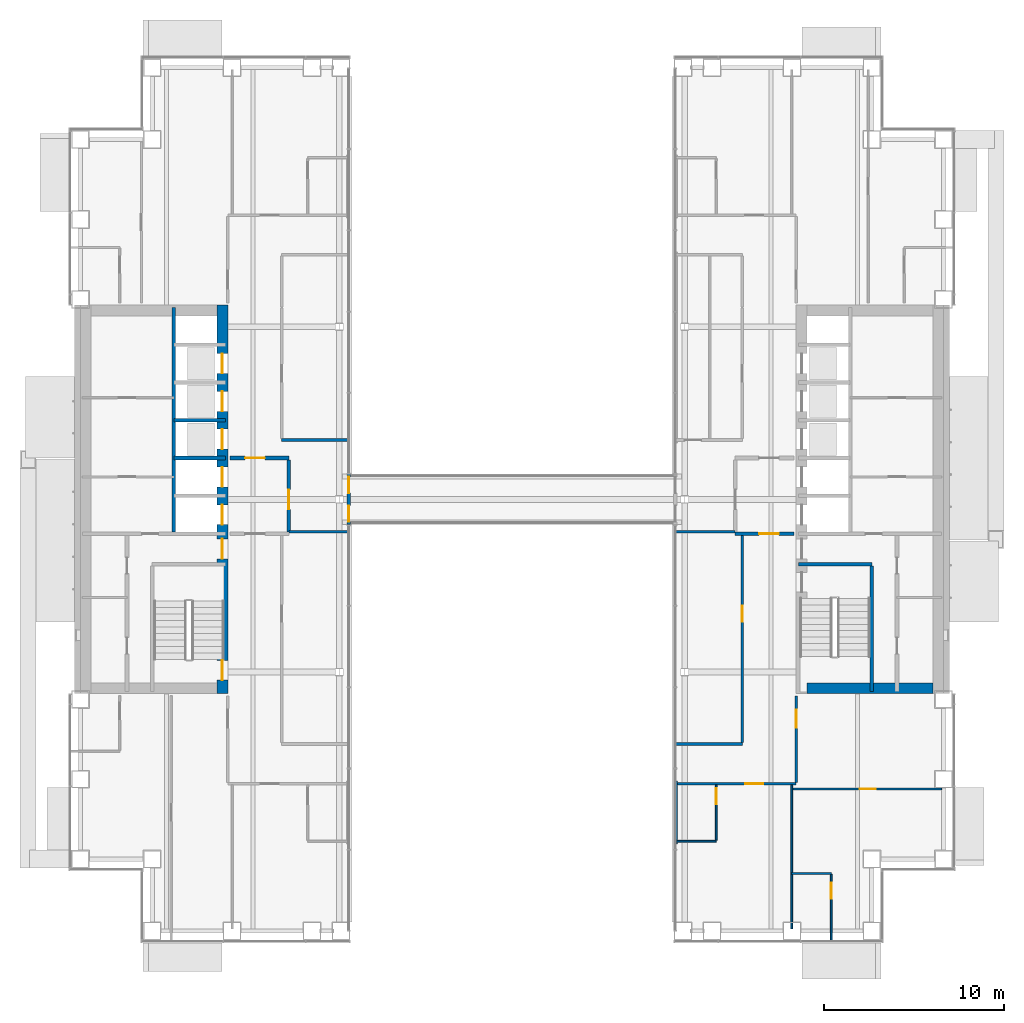
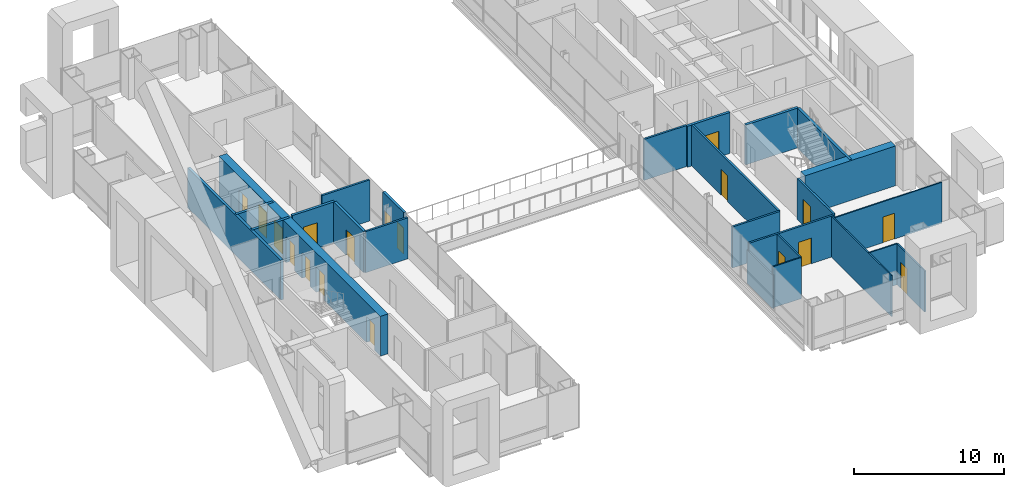
# One storey, part 18 of 26: 25 walls, 18 doors, 18 openings.
"""IFC4 building model written with IfcOpenShell, lengths in metres."""

from ifc_helpers import new_model, si_unit, direction, frame, frame_2d, origin, place, context, subcontext, project, spatial, rectangle, extrude, material, layer, layer_set, type_object, element, fill, save


model = new_model("IFC4")

# Units and contexts
model_context = context("Model", 3, precision=1e-05, world=origin(), true_north=direction((0.0, 1.0)))
body_context = subcontext(model_context, "Body", "Model", "MODEL_VIEW")
ifc_project = project(units=[si_unit("LENGTHUNIT", "METRE"), si_unit("AREAUNIT", "SQUARE_METRE"), si_unit("VOLUMEUNIT", "CUBIC_METRE"), si_unit("PLANEANGLEUNIT", "RADIAN"), si_unit("MASSUNIT", "GRAM", prefix="KILO")], contexts=[model_context])

# Site, building, storey
site_placement = place(None, origin())
site = spatial("IfcSite", under=ifc_project, at=site_placement, CompositionType="ELEMENT")
building_placement = place(site_placement, origin())
building = spatial("IfcBuilding", under=site, at=building_placement, Name="Cobrizo Arcos Hotel Tower", CompositionType="ELEMENT")
storey_placement = place(building_placement, frame((0.0, 0.0, 67.0)))
storey = spatial("IfcBuildingStorey", under=building, at=storey_placement, Name="L15", CompositionType="ELEMENT", Elevation=67.0)

# Wall, opening, door
ifc_material_1 = material(Name="Gypsum board partition")
ifc_layer_1 = layer(ifc_material_1, 0.14990234375)
ifc_layer_set_1 = layer_set([ifc_layer_1], Name="Corridor wall EI 60 150")
wall_type_1 = type_object("IfcWallType", Name="Corridor wall EI 60 150", PredefinedType="PARTITIONING", material=ifc_layer_set_1)
wall_1_placement = place(storey_placement, frame((9.14990234375, -15.800048828125, 0.0), z_axis=(0.0, 0.0, 1.0), x_axis=(1.0, 0.0, 0.0)))
wall_1 = element("IfcWall", 1, at=wall_1_placement, inside=storey, type_object=wall_type_1, Name="Partition 006", PredefinedType="PARTITIONING", context=body_context, shape_type="SweptSolid", body=[
    extrude(rectangle(XDim=6.650146484375, YDim=0.14990234375, at=frame_2d((3.3251953125, 0.0))), origin(), (0.0, 0.0, 1.0), 3.35009765625),
])
opening_1_placement = place(wall_1_placement, frame((3.802978515625, 0.0, 0.0)))
opening_1 = element("IfcOpeningElement", 2, at=opening_1_placement, cuts=wall_1, Name="Opening GD-03", PredefinedType="OPENING", context=body_context, shape_type="SweptSolid", body=[
    extrude(rectangle(XDim=1.0, YDim=2.10009765625, at=frame_2d((0.5, 1.050048828125))), frame((0.0, 0.0869140625, 0.0), z_axis=(0.0, -1.0, 0.0), x_axis=(1.0, 0.0, 0.0)), (0.0, 0.0, 1.0), 0.173828125),
])
ifc_material_2 = material(Name="Timber door leaf", Category="wood")
door_type_1 = type_object("IfcDoorType", Name="Guest room door FD30S 1000x2100", OperationType="SINGLE_SWING_LEFT", PredefinedType="DOOR", material=ifc_material_2)
door_1_placement = place(opening_1_placement, origin())
door_1 = element("IfcDoor", 3, at=door_1_placement, inside=storey, type_object=door_type_1, Name="Door GD-03", OperationType="SINGLE_SWING_RIGHT", OverallHeight=2.10009765625, OverallWidth=1.0, PredefinedType="DOOR", context=body_context, shape_type="SweptSolid", body=[
    extrude(rectangle(XDim=1.0, YDim=2.10009765625, at=frame_2d((0.5, 1.050048828125))), frame((0.0, 0.02490234375, 0.0), z_axis=(0.0, -1.0, 0.0), x_axis=(1.0, 0.0, 0.0)), (0.0, 0.0, 1.0), 0.050048828125),
])
fill(opening_1, door_1)

# Walls
wall_2_placement = place(storey_placement, frame((9.1201171875, -13.60009765625, 0.0), z_axis=(0.0, 0.0, 1.0), x_axis=(1.0, 0.0, 0.0)))
element("IfcWall", 4, at=wall_2_placement, inside=storey, type_object=wall_type_1, Name="Partition 009", PredefinedType="PARTITIONING", context=body_context, shape_type="SweptSolid", body=[
    extrude(rectangle(XDim=3.679931640625, YDim=0.14990234375, at=frame_2d((1.83984375, 0.0))), origin(), (0.0, 0.0, 1.0), 3.35009765625),
])
for number, where, z_axis, x_axis, name in (
    (5, (-12.39990234375, -1.800048828125, 0.0), (0.0, 0.0, 1.0), (1.0, 0.0, 0.0), "Partition 018"),
    (6, (9.1201171875, -1.800048828125, 0.0), (0.0, 0.0, 1.0), (1.0, 0.0, 0.0), "Partition 019"),
):
    element("IfcWall", number, at=place(storey_placement, frame(where, z_axis=z_axis, x_axis=x_axis)), inside=storey, type_object=wall_type_1, Name=name, PredefinedType="PARTITIONING", context=body_context, shape_type="SweptSolid", body=[
        extrude(rectangle(XDim=3.27978515625, YDim=0.14990234375, at=frame_2d((1.639892578125, 0.0))), origin(), (0.0, 0.0, 1.0), 3.35009765625),
    ])
wall_3_placement = place(storey_placement, frame((-12.800048828125, 3.300048828125, 0.0), z_axis=(0.0, 0.0, 1.0), x_axis=(1.0, 0.0, 0.0)))
element("IfcWall", 7, at=wall_3_placement, inside=storey, type_object=wall_type_1, Name="Partition 028", PredefinedType="PARTITIONING", context=body_context, shape_type="SweptSolid", body=[
    extrude(rectangle(XDim=3.679931640625, YDim=0.14990234375, at=frame_2d((1.83984375, 0.0))), origin(), (0.0, 0.0, 1.0), 3.35009765625),
])

# Wall, opening, door
wall_4_placement = place(storey_placement, frame((12.800048828125, -13.52490234375, 0.0), z_axis=(0.0, 0.0, 1.0), x_axis=(0.0, 1.0, 0.0)))
wall_4 = element("IfcWall", 8, at=wall_4_placement, inside=storey, type_object=wall_type_1, Name="Partition 072", PredefinedType="PARTITIONING", context=body_context, shape_type="SweptSolid", body=[
    extrude(rectangle(XDim=11.52490234375, YDim=0.14990234375, at=frame_2d((5.762451171875, 0.0))), origin(), (0.0, 0.0, 1.0), 3.35009765625),
])
opening_2_placement = place(wall_4_placement, frame((6.72509765625, 0.0, 0.0)))
opening_2 = element("IfcOpeningElement", 9, at=opening_2_placement, cuts=wall_4, Name="Opening RD-16", PredefinedType="OPENING", context=body_context, shape_type="SweptSolid", body=[
    extrude(rectangle(XDim=0.89990234375, YDim=2.10009765625, at=frame_2d((0.449951171875, 1.050048828125))), frame((0.0, 0.0869140625, 0.0), z_axis=(0.0, -1.0, 0.0), x_axis=(1.0, 0.0, 0.0)), (0.0, 0.0, 1.0), 0.173828125),
])
door_type_2 = type_object("IfcDoorType", Name="Room door FD30 900x2100", OperationType="SINGLE_SWING_LEFT", PredefinedType="DOOR", material=ifc_material_2)
door_2_placement = place(opening_2_placement, origin())
door_2 = element("IfcDoor", 10, at=door_2_placement, inside=storey, type_object=door_type_2, Name="Door RD-16", OperationType="SINGLE_SWING_RIGHT", OverallHeight=2.10009765625, OverallWidth=0.89990234375, PredefinedType="DOOR", context=body_context, shape_type="SweptSolid", body=[
    extrude(rectangle(XDim=0.89990234375, YDim=2.10009765625, at=frame_2d((0.449951171875, 1.050048828125))), frame((0.0, 0.02490234375, 0.0), z_axis=(0.0, -1.0, 0.0), x_axis=(1.0, 0.0, 0.0)), (0.0, 0.0, 1.0), 0.050048828125),
])
fill(opening_2, door_2)

wall_5_placement = place(storey_placement, frame((15.800048828125, -15.72509765625, 0.0), z_axis=(0.0, 0.0, 1.0), x_axis=(0.0, 1.0, 0.0)))
wall_5 = element("IfcWall", 11, at=wall_5_placement, inside=storey, type_object=wall_type_1, Name="Partition 077", PredefinedType="PARTITIONING", context=body_context, shape_type="SweptSolid", body=[
    extrude(rectangle(XDim=4.80517578125, YDim=0.14990234375, at=frame_2d((2.402587890625, 0.0))), origin(), (0.0, 0.0, 1.0), 3.35009765625),
])
opening_3_placement = place(wall_5_placement, frame((3.02490234375, 0.0, 0.0)))
opening_3 = element("IfcOpeningElement", 12, at=opening_3_placement, cuts=wall_5, Name="Opening GD-07", PredefinedType="OPENING", context=body_context, shape_type="SweptSolid", body=[
    extrude(rectangle(XDim=1.0, YDim=2.10009765625, at=frame_2d((0.5, 1.050048828125))), frame((0.0, 0.0869140625, 0.0), z_axis=(0.0, -1.0, 0.0), x_axis=(1.0, 0.0, 0.0)), (0.0, 0.0, 1.0), 0.173828125),
])
door_3_placement = place(opening_3_placement, origin())
door_3 = element("IfcDoor", 13, at=door_3_placement, inside=storey, type_object=door_type_1, Name="Door GD-07", OperationType="SINGLE_SWING_LEFT", OverallHeight=2.10009765625, OverallWidth=1.0, PredefinedType="DOOR", context=body_context, shape_type="SweptSolid", body=[
    extrude(rectangle(XDim=1.0, YDim=2.10009765625, at=frame_2d((0.5, 1.050048828125))), frame((0.0, 0.02490234375, 0.0), z_axis=(0.0, -1.0, 0.0), x_axis=(1.0, 0.0, 0.0)), (0.0, 0.0, 1.0), 0.050048828125),
])
fill(opening_3, door_3)

# Wall, openings, doors
ifc_material_3 = material(Name="Aluminium 6063-T6 anodised pale", Category="aluminium")
ifc_layer_2 = layer(ifc_material_3, 0.199951171875)
ifc_layer_set_2 = layer_set([ifc_layer_2], Name="EW-4 sky bridge door frame wall")
wall_type_2 = type_object("IfcWallType", Name="EW-4 sky bridge door frame wall", PredefinedType="SOLIDWALL", material=ifc_layer_set_2)
wall_6_placement = place(storey_placement, frame((-9.074951171875, -1.39990234375, 0.0), z_axis=(0.0, 0.0, 1.0), x_axis=(0.0, 1.0, 0.0)))
wall_6 = element("IfcWall", 14, at=wall_6_placement, inside=storey, type_object=wall_type_2, Name="Sky bridge door wall A W", PredefinedType="SOLIDWALL", context=body_context, shape_type="SweptSolid", body=[
    extrude(rectangle(XDim=2.7998046875, YDim=0.199951171875, at=frame_2d((1.39990234375, 0.0))), origin(), (0.0, 0.0, 1.0), 3.5),
])
opening_4_placement = place(wall_6_placement, frame((0.14990234375, 0.0, 0.0)))
opening_4 = element("IfcOpeningElement", 15, at=opening_4_placement, cuts=wall_6, Name="Opening E-26", PredefinedType="OPENING", context=body_context, shape_type="SweptSolid", body=[
    extrude(rectangle(XDim=0.89990234375, YDim=2.10009765625, at=frame_2d((0.449951171875, 1.050048828125))), frame((0.0, 0.112060546875, 0.0), z_axis=(0.0, -1.0, 0.0), x_axis=(1.0, 0.0, 0.0)), (0.0, 0.0, 1.0), 0.223876953125),
])
opening_5_placement = place(wall_6_placement, frame((1.75, 0.0, 0.0)))
opening_5 = element("IfcOpeningElement", 16, at=opening_5_placement, cuts=wall_6, Name="Opening E-27", PredefinedType="OPENING", context=body_context, shape_type="SweptSolid", body=[
    extrude(rectangle(XDim=0.89990234375, YDim=2.10009765625, at=frame_2d((0.449951171875, 1.050048828125))), frame((0.0, 0.112060546875, 0.0), z_axis=(0.0, -1.0, 0.0), x_axis=(1.0, 0.0, 0.0)), (0.0, 0.0, 1.0), 0.223876953125),
])
ifc_material_4 = material(Name="Aluminium 6063-T6 and clear laminated glass", Category="aluminium")
door_type_3 = type_object("IfcDoorType", Name="D-B2 sky bridge single door 900x2100", OperationType="SINGLE_SWING_LEFT", PredefinedType="DOOR", material=ifc_material_4)
door_4_placement = place(opening_4_placement, origin())
door_4 = element("IfcDoor", 17, at=door_4_placement, inside=storey, type_object=door_type_3, Name="Sky bridge door wall A W door E-26", OperationType="SINGLE_SWING_LEFT", OverallHeight=2.10009765625, OverallWidth=0.89990234375, PredefinedType="DOOR", context=body_context, shape_type="SweptSolid", body=[
    extrude(rectangle(XDim=0.89990234375, YDim=2.10009765625, at=frame_2d((0.449951171875, 1.050048828125))), frame((0.0, 0.02490234375, 0.0), z_axis=(0.0, -1.0, 0.0), x_axis=(1.0, 0.0, 0.0)), (0.0, 0.0, 1.0), 0.050048828125),
])
fill(opening_4, door_4)
door_5_placement = place(opening_5_placement, origin())
door_5 = element("IfcDoor", 18, at=door_5_placement, inside=storey, type_object=door_type_3, Name="Sky bridge door wall A W door E-27", OperationType="SINGLE_SWING_RIGHT", OverallHeight=2.10009765625, OverallWidth=0.89990234375, PredefinedType="DOOR", context=body_context, shape_type="SweptSolid", body=[
    extrude(rectangle(XDim=0.89990234375, YDim=2.10009765625, at=frame_2d((0.449951171875, 1.050048828125))), frame((0.0, 0.02490234375, 0.0), z_axis=(0.0, -1.0, 0.0), x_axis=(1.0, 0.0, 0.0)), (0.0, 0.0, 1.0), 0.050048828125),
])
fill(opening_5, door_5)

# Walls
ifc_layer_3 = layer(ifc_material_1, 0.10009765625)
ifc_layer_set_3 = layer_set([ifc_layer_3], Name="Partition EI 30 100")
wall_type_3 = type_object("IfcWallType", Name="Partition EI 30 100", PredefinedType="PARTITIONING", material=ifc_layer_set_3)
wall_7_placement = place(storey_placement, frame((15.550048828125, -20.800048828125, 0.0), z_axis=(0.0, 0.0, 1.0), x_axis=(1.0, 0.0, 0.0)))
element("IfcWall", 19, at=wall_7_placement, inside=storey, type_object=wall_type_3, Name="Partition 001", PredefinedType="PARTITIONING", context=body_context, shape_type="SweptSolid", body=[
    extrude(rectangle(XDim=2.199951171875, YDim=0.10009765625, at=frame_2d((1.10009765625, 0.0))), origin(), (0.0, 0.0, 1.0), 3.35009765625),
])
wall_8_placement = place(storey_placement, frame((9.14990234375, -19.0, 0.0), z_axis=(0.0, 0.0, 1.0), x_axis=(1.0, 0.0, 0.0)))
element("IfcWall", 20, at=wall_8_placement, inside=storey, type_object=wall_type_3, Name="Partition 003", PredefinedType="PARTITIONING", context=body_context, shape_type="SweptSolid", body=[
    extrude(rectangle(XDim=2.2001953125, YDim=0.10009765625, at=frame_2d((1.10009765625, 0.0))), origin(), (0.0, 0.0, 1.0), 3.35009765625),
])

# Wall, opening, door
wall_9_placement = place(storey_placement, frame((15.550048828125, -16.10009765625, 0.0), z_axis=(0.0, 0.0, 1.0), x_axis=(1.0, 0.0, 0.0)))
wall_9 = element("IfcWall", 21, at=wall_9_placement, inside=storey, type_object=wall_type_3, Name="Partition 004", PredefinedType="PARTITIONING", context=body_context, shape_type="SweptSolid", body=[
    extrude(rectangle(XDim=8.329833984375, YDim=0.10009765625, at=frame_2d((4.1650390625, 0.0))), origin(), (0.0, 0.0, 1.0), 3.35009765625),
])
opening_6_placement = place(wall_9_placement, frame((3.778076171875, 0.0, 0.0)))
opening_6 = element("IfcOpeningElement", 22, at=opening_6_placement, cuts=wall_9, Name="Opening RD-13", PredefinedType="OPENING", context=body_context, shape_type="SweptSolid", body=[
    extrude(rectangle(XDim=0.89990234375, YDim=2.10009765625, at=frame_2d((0.449951171875, 1.050048828125))), frame((0.0, 0.06201171875, 0.0), z_axis=(0.0, -1.0, 0.0), x_axis=(1.0, 0.0, 0.0)), (0.0, 0.0, 1.0), 0.1240234375),
])
door_6_placement = place(opening_6_placement, origin())
door_6 = element("IfcDoor", 23, at=door_6_placement, inside=storey, type_object=door_type_2, Name="Door RD-13", OperationType="SINGLE_SWING_LEFT", OverallHeight=2.10009765625, OverallWidth=0.89990234375, PredefinedType="DOOR", context=body_context, shape_type="SweptSolid", body=[
    extrude(rectangle(XDim=0.89990234375, YDim=2.10009765625, at=frame_2d((0.449951171875, 1.050048828125))), frame((0.0, 0.02490234375, 0.0), z_axis=(0.0, -1.0, 0.0), x_axis=(1.0, 0.0, 0.0)), (0.0, 0.0, 1.0), 0.050048828125),
])
fill(opening_6, door_6)

# Wall
wall_10_placement = place(storey_placement, frame((9.14990234375, -19.139892578125, 0.0), z_axis=(0.0, 0.0, 1.0), x_axis=(0.0, 1.0, 0.0)))
element("IfcWall", 24, at=wall_10_placement, inside=storey, type_object=wall_type_3, Name="Partition 065", PredefinedType="PARTITIONING", context=body_context, shape_type="SweptSolid", body=[
    extrude(rectangle(XDim=3.47998046875, YDim=0.10009765625, at=frame_2d((1.739990234375, 0.0))), origin(), (0.0, 0.0, 1.0), 2.73291015625),
])

# Wall, opening, door
wall_11_placement = place(storey_placement, frame((11.35009765625, -18.949951171875, 0.0), z_axis=(0.0, 0.0, 1.0), x_axis=(0.0, 1.0, 0.0)))
wall_11 = element("IfcWall", 25, at=wall_11_placement, inside=storey, type_object=wall_type_3, Name="Partition 069", PredefinedType="PARTITIONING", context=body_context, shape_type="SweptSolid", body=[
    extrude(rectangle(XDim=3.074951171875, YDim=0.10009765625, at=frame_2d((1.53759765625, 0.0))), origin(), (0.0, 0.0, 1.0), 3.35009765625),
])
opening_7_placement = place(wall_11_placement, frame((1.99609375, 0.0, 0.0)))
opening_7 = element("IfcOpeningElement", 26, at=opening_7_placement, cuts=wall_11, Name="Opening ED-03", PredefinedType="OPENING", context=body_context, shape_type="SweptSolid", body=[
    extrude(rectangle(XDim=0.89990234375, YDim=2.10009765625, at=frame_2d((0.449951171875, 1.050048828125))), frame((0.0, 0.06201171875, 0.0), z_axis=(0.0, -1.0, 0.0), x_axis=(1.0, 0.0, 0.0)), (0.0, 0.0, 1.0), 0.1240234375),
])
door_type_4 = type_object("IfcDoorType", Name="En-suite door 900x2100", OperationType="SINGLE_SWING_LEFT", PredefinedType="DOOR", material=ifc_material_2)
door_7_placement = place(opening_7_placement, origin())
door_7 = element("IfcDoor", 27, at=door_7_placement, inside=storey, type_object=door_type_4, Name="Door ED-03", OperationType="SINGLE_SWING_LEFT", OverallHeight=2.10009765625, OverallWidth=0.89990234375, PredefinedType="DOOR", context=body_context, shape_type="SweptSolid", body=[
    extrude(rectangle(XDim=0.89990234375, YDim=2.10009765625, at=frame_2d((0.449951171875, 1.050048828125))), frame((0.0, 0.02490234375, 0.0), z_axis=(0.0, -1.0, 0.0), x_axis=(1.0, 0.0, 0.0)), (0.0, 0.0, 1.0), 0.050048828125),
])
fill(opening_7, door_7)

# Wall
wall_12_placement = place(storey_placement, frame((15.550048828125, -23.8798828125, 0.0), z_axis=(0.0, 0.0, 1.0), x_axis=(0.0, 1.0, 0.0)))
element("IfcWall", 28, at=wall_12_placement, inside=storey, type_object=wall_type_3, Name="Partition 075", PredefinedType="PARTITIONING", context=body_context, shape_type="SweptSolid", body=[
    extrude(rectangle(XDim=8.0048828125, YDim=0.10009765625, at=frame_2d((4.00244140625, 0.0))), origin(), (0.0, 0.0, 1.0), 3.35009765625),
])

# Wall, opening, door
wall_13_placement = place(storey_placement, frame((17.75, -24.530029296875, 0.0), z_axis=(0.0, 0.0, 1.0), x_axis=(0.0, 1.0, 0.0)))
wall_13 = element("IfcWall", 29, at=wall_13_placement, inside=storey, type_object=wall_type_3, Name="Partition 079", PredefinedType="PARTITIONING", context=body_context, shape_type="SweptSolid", body=[
    extrude(rectangle(XDim=3.679931640625, YDim=0.10009765625, at=frame_2d((1.83984375, 0.0))), origin(), (0.0, 0.0, 1.0), 3.35009765625),
])
opening_8_placement = place(wall_13_placement, frame((2.320068359375, 0.0, 0.0)))
opening_8 = element("IfcOpeningElement", 30, at=opening_8_placement, cuts=wall_13, Name="Opening ED-07", PredefinedType="OPENING", context=body_context, shape_type="SweptSolid", body=[
    extrude(rectangle(XDim=0.89990234375, YDim=2.10009765625, at=frame_2d((0.449951171875, 1.050048828125))), frame((0.0, 0.06201171875, 0.0), z_axis=(0.0, -1.0, 0.0), x_axis=(1.0, 0.0, 0.0)), (0.0, 0.0, 1.0), 0.1240234375),
])
door_8_placement = place(opening_8_placement, origin())
door_8 = element("IfcDoor", 31, at=door_8_placement, inside=storey, type_object=door_type_4, Name="Door ED-07", OperationType="SINGLE_SWING_LEFT", OverallHeight=2.10009765625, OverallWidth=0.89990234375, PredefinedType="DOOR", context=body_context, shape_type="SweptSolid", body=[
    extrude(rectangle(XDim=0.89990234375, YDim=2.10009765625, at=frame_2d((0.449951171875, 1.050048828125))), frame((0.0, 0.02490234375, 0.0), z_axis=(0.0, -1.0, 0.0), x_axis=(1.0, 0.0, 0.0)), (0.0, 0.0, 1.0), 0.050048828125),
])
fill(opening_8, door_8)

# Wall
ifc_material_5 = material(Name="Concrete f'c 60 MPa", Category="concrete")
ifc_layer_4 = layer(ifc_material_5, 0.60009765625)
ifc_layer_set_4 = layer_set([ifc_layer_4], Name="RC core wall 600 f'c 60")
wall_type_4 = type_object("IfcWallType", Name="RC core wall 600 f'c 60", PredefinedType="SHEAR", material=ifc_layer_set_4)
wall_14_placement = place(storey_placement, frame((16.39990234375, -10.5, 0.0), z_axis=(0.0, 0.0, 1.0), x_axis=(1.0, 0.0, 0.0)))
element("IfcWall", 32, at=wall_14_placement, inside=storey, type_object=wall_type_4, Name="Core wall CW1, east core, south end, L15", PredefinedType="SHEAR", context=body_context, shape_type="SweptSolid", body=[
    extrude(rectangle(XDim=7.0, YDim=0.60009765625, at=frame_2d((3.5, 0.0))), origin(), (0.0, 0.0, 1.0), 3.25),
])

# Wall, openings, doors
wall_15_placement = place(storey_placement, frame((-16.10009765625, -10.800048828125, 0.0), z_axis=(0.0, 0.0, 1.0), x_axis=(0.0, 1.0, 0.0)))
wall_15 = element("IfcWall", 33, at=wall_15_placement, inside=storey, type_object=wall_type_4, Name="Core wall CW1, west core, inner face, L15", PredefinedType="SHEAR", context=body_context, shape_type="SweptSolid", body=[
    extrude(rectangle(XDim=21.60009765625, YDim=0.60009765625, at=frame_2d((10.800048828125, 0.0))), origin(), (0.0, 0.0, 1.0), 3.25),
])
opening_9_placement = place(wall_15_placement, frame((9.39990234375, 0.0, 0.0)))
opening_9 = element("IfcOpeningElement", 34, at=opening_9_placement, cuts=wall_15, Name="Opening LD-01", PredefinedType="OPENING", context=body_context, shape_type="SweptSolid", body=[
    extrude(rectangle(XDim=1.10009765625, YDim=2.10009765625, at=frame_2d((0.550048828125, 1.050048828125))), frame((0.0, 0.31201171875, 0.0), z_axis=(0.0, -1.0, 0.0), x_axis=(1.0, 0.0, 0.0)), (0.0, 0.0, 1.0), 0.6240234375),
])
opening_10_placement = place(wall_15_placement, frame((11.5, 0.0, 0.0)))
opening_10 = element("IfcOpeningElement", 35, at=opening_10_placement, cuts=wall_15, Name="Opening LD-02", PredefinedType="OPENING", context=body_context, shape_type="SweptSolid", body=[
    extrude(rectangle(XDim=1.10009765625, YDim=2.10009765625, at=frame_2d((0.550048828125, 1.050048828125))), frame((0.0, 0.31201171875, 0.0), z_axis=(0.0, -1.0, 0.0), x_axis=(1.0, 0.0, 0.0)), (0.0, 0.0, 1.0), 0.6240234375),
])
opening_11_placement = place(wall_15_placement, frame((13.60009765625, 0.0, 0.0)))
opening_11 = element("IfcOpeningElement", 36, at=opening_11_placement, cuts=wall_15, Name="Opening LD-03", PredefinedType="OPENING", context=body_context, shape_type="SweptSolid", body=[
    extrude(rectangle(XDim=1.10009765625, YDim=2.10009765625, at=frame_2d((0.550048828125, 1.050048828125))), frame((0.0, 0.31201171875, 0.0), z_axis=(0.0, -1.0, 0.0), x_axis=(1.0, 0.0, 0.0)), (0.0, 0.0, 1.0), 0.6240234375),
])
opening_12_placement = place(wall_15_placement, frame((15.699951171875, 0.0, 0.0)))
opening_12 = element("IfcOpeningElement", 37, at=opening_12_placement, cuts=wall_15, Name="Opening LD-04", PredefinedType="OPENING", context=body_context, shape_type="SweptSolid", body=[
    extrude(rectangle(XDim=1.10009765625, YDim=2.10009765625, at=frame_2d((0.550048828125, 1.050048828125))), frame((0.0, 0.31201171875, 0.0), z_axis=(0.0, -1.0, 0.0), x_axis=(1.0, 0.0, 0.0)), (0.0, 0.0, 1.0), 0.6240234375),
])
opening_13_placement = place(wall_15_placement, frame((17.800048828125, 0.0, 0.0)))
opening_13 = element("IfcOpeningElement", 38, at=opening_13_placement, cuts=wall_15, Name="Opening LD-05", PredefinedType="OPENING", context=body_context, shape_type="SweptSolid", body=[
    extrude(rectangle(XDim=1.10009765625, YDim=2.10009765625, at=frame_2d((0.550048828125, 1.050048828125))), frame((0.0, 0.31201171875, 0.0), z_axis=(0.0, -1.0, 0.0), x_axis=(1.0, 0.0, 0.0)), (0.0, 0.0, 1.0), 0.6240234375),
])
opening_14_placement = place(wall_15_placement, frame((0.758056640625, 0.0, 0.0)))
opening_14 = element("IfcOpeningElement", 39, at=opening_14_placement, cuts=wall_15, Name="Opening SD-01", PredefinedType="OPENING", context=body_context, shape_type="SweptSolid", body=[
    extrude(rectangle(XDim=1.10009765625, YDim=2.10009765625, at=frame_2d((0.550048828125, 1.050048828125))), frame((0.0, 0.31201171875, 0.0), z_axis=(0.0, -1.0, 0.0), x_axis=(1.0, 0.0, 0.0)), (0.0, 0.0, 1.0), 0.6240234375),
])
opening_15_placement = place(wall_15_placement, frame((7.5, 0.0, 0.0)))
opening_15 = element("IfcOpeningElement", 40, at=opening_15_placement, cuts=wall_15, Name="Opening FD-01", PredefinedType="OPENING", context=body_context, shape_type="SweptSolid", body=[
    extrude(rectangle(XDim=1.10009765625, YDim=2.10009765625, at=frame_2d((0.550048828125, 1.050048828125))), frame((0.0, 0.31201171875, 0.0), z_axis=(0.0, -1.0, 0.0), x_axis=(1.0, 0.0, 0.0)), (0.0, 0.0, 1.0), 0.6240234375),
])
ifc_material_6 = material(Name="Steel door leaf", Category="steel")
door_type_5 = type_object("IfcDoorType", Name="Fire door FD60 1100x2100", OperationType="SINGLE_SWING_LEFT", PredefinedType="DOOR", material=ifc_material_6)
door_9_placement = place(opening_15_placement, origin())
door_9 = element("IfcDoor", 41, at=door_9_placement, inside=storey, type_object=door_type_5, Name="Door FD-01", OperationType="SINGLE_SWING_RIGHT", OverallHeight=2.10009765625, OverallWidth=1.10009765625, PredefinedType="DOOR", context=body_context, shape_type="SweptSolid", body=[
    extrude(rectangle(XDim=1.10009765625, YDim=2.10009765625, at=frame_2d((0.550048828125, 1.050048828125))), frame((0.0, 0.02490234375, 0.0), z_axis=(0.0, -1.0, 0.0), x_axis=(1.0, 0.0, 0.0)), (0.0, 0.0, 1.0), 0.050048828125),
])
fill(opening_15, door_9)
door_type_6 = type_object("IfcDoorType", Name="Lift landing door 1100x2100", OperationType="SLIDING_TO_LEFT", PredefinedType="DOOR", material=ifc_material_6)
door_10_placement = place(opening_9_placement, origin())
door_10 = element("IfcDoor", 42, at=door_10_placement, inside=storey, type_object=door_type_6, Name="Lift landing door LD-01", OperationType="SLIDING_TO_LEFT", OverallHeight=2.10009765625, OverallWidth=1.10009765625, PredefinedType="DOOR", context=body_context, shape_type="SweptSolid", body=[
    extrude(rectangle(XDim=1.10009765625, YDim=2.10009765625, at=frame_2d((0.550048828125, 1.050048828125))), frame((0.0, 0.02490234375, 0.0), z_axis=(0.0, -1.0, 0.0), x_axis=(1.0, 0.0, 0.0)), (0.0, 0.0, 1.0), 0.050048828125),
])
fill(opening_9, door_10)
door_11_placement = place(opening_10_placement, origin())
door_11 = element("IfcDoor", 43, at=door_11_placement, inside=storey, type_object=door_type_6, Name="Lift landing door LD-02", OperationType="SLIDING_TO_LEFT", OverallHeight=2.10009765625, OverallWidth=1.10009765625, PredefinedType="DOOR", context=body_context, shape_type="SweptSolid", body=[
    extrude(rectangle(XDim=1.10009765625, YDim=2.10009765625, at=frame_2d((0.550048828125, 1.050048828125))), frame((0.0, 0.02490234375, 0.0), z_axis=(0.0, -1.0, 0.0), x_axis=(1.0, 0.0, 0.0)), (0.0, 0.0, 1.0), 0.050048828125),
])
fill(opening_10, door_11)
door_12_placement = place(opening_11_placement, origin())
door_12 = element("IfcDoor", 44, at=door_12_placement, inside=storey, type_object=door_type_6, Name="Lift landing door LD-03", OperationType="SLIDING_TO_LEFT", OverallHeight=2.10009765625, OverallWidth=1.10009765625, PredefinedType="DOOR", context=body_context, shape_type="SweptSolid", body=[
    extrude(rectangle(XDim=1.10009765625, YDim=2.10009765625, at=frame_2d((0.550048828125, 1.050048828125))), frame((0.0, 0.02490234375, 0.0), z_axis=(0.0, -1.0, 0.0), x_axis=(1.0, 0.0, 0.0)), (0.0, 0.0, 1.0), 0.050048828125),
])
fill(opening_11, door_12)
door_13_placement = place(opening_12_placement, origin())
door_13 = element("IfcDoor", 45, at=door_13_placement, inside=storey, type_object=door_type_6, Name="Lift landing door LD-04", OperationType="SLIDING_TO_LEFT", OverallHeight=2.10009765625, OverallWidth=1.10009765625, PredefinedType="DOOR", context=body_context, shape_type="SweptSolid", body=[
    extrude(rectangle(XDim=1.10009765625, YDim=2.10009765625, at=frame_2d((0.550048828125, 1.050048828125))), frame((0.0, 0.02490234375, 0.0), z_axis=(0.0, -1.0, 0.0), x_axis=(1.0, 0.0, 0.0)), (0.0, 0.0, 1.0), 0.050048828125),
])
fill(opening_12, door_13)
door_14_placement = place(opening_13_placement, origin())
door_14 = element("IfcDoor", 46, at=door_14_placement, inside=storey, type_object=door_type_6, Name="Lift landing door LD-05", OperationType="SLIDING_TO_LEFT", OverallHeight=2.10009765625, OverallWidth=1.10009765625, PredefinedType="DOOR", context=body_context, shape_type="SweptSolid", body=[
    extrude(rectangle(XDim=1.10009765625, YDim=2.10009765625, at=frame_2d((0.550048828125, 1.050048828125))), frame((0.0, 0.02490234375, 0.0), z_axis=(0.0, -1.0, 0.0), x_axis=(1.0, 0.0, 0.0)), (0.0, 0.0, 1.0), 0.050048828125),
])
fill(opening_13, door_14)
door_type_7 = type_object("IfcDoorType", Name="Stair door FD60S 1100x2100", OperationType="SINGLE_SWING_LEFT", PredefinedType="DOOR", material=ifc_material_6)
door_15_placement = place(opening_14_placement, origin())
door_15 = element("IfcDoor", 47, at=door_15_placement, inside=storey, type_object=door_type_7, Name="Door SD-01", OperationType="SINGLE_SWING_LEFT", OverallHeight=2.10009765625, OverallWidth=1.10009765625, PredefinedType="DOOR", context=body_context, shape_type="SweptSolid", body=[
    extrude(rectangle(XDim=1.10009765625, YDim=2.10009765625, at=frame_2d((0.550048828125, 1.050048828125))), frame((0.0, 0.02490234375, 0.0), z_axis=(0.0, -1.0, 0.0), x_axis=(1.0, 0.0, 0.0)), (0.0, 0.0, 1.0), 0.050048828125),
])
fill(opening_14, door_15)

# Wall, opening, door
ifc_layer_5 = layer(ifc_material_1, 0.199951171875)
ifc_layer_set_5 = layer_set([ifc_layer_5], Name="Shaft wall EI 120 200")
wall_type_5 = type_object("IfcWallType", Name="Shaft wall EI 120 200", PredefinedType="PARTITIONING", material=ifc_layer_set_5)
wall_16_placement = place(storey_placement, frame((12.39990234375, -1.89990234375, 0.0), z_axis=(0.0, 0.0, 1.0), x_axis=(1.0, 0.0, 0.0)))
wall_16 = element("IfcWall", 48, at=wall_16_placement, inside=storey, type_object=wall_type_5, Name="Partition 016", PredefinedType="PARTITIONING", context=body_context, shape_type="SweptSolid", body=[
    extrude(rectangle(XDim=3.280029296875, YDim=0.199951171875, at=frame_2d((1.64013671875, 0.0))), origin(), (0.0, 0.0, 1.0), 3.35009765625),
])
opening_16_placement = place(wall_16_placement, frame((1.340087890625, 0.0, 0.0)))
opening_16 = element("IfcOpeningElement", 49, at=opening_16_placement, cuts=wall_16, Name="Opening FD-07", PredefinedType="OPENING", context=body_context, shape_type="SweptSolid", body=[
    extrude(rectangle(XDim=1.10009765625, YDim=2.10009765625, at=frame_2d((0.550048828125, 1.050048828125))), frame((0.0, 0.112060546875, 0.0), z_axis=(0.0, -1.0, 0.0), x_axis=(1.0, 0.0, 0.0)), (0.0, 0.0, 1.0), 0.223876953125),
])
door_16_placement = place(opening_16_placement, origin())
door_16 = element("IfcDoor", 50, at=door_16_placement, inside=storey, type_object=door_type_5, Name="Door FD-07", OperationType="SINGLE_SWING_RIGHT", OverallHeight=2.10009765625, OverallWidth=1.10009765625, PredefinedType="DOOR", context=body_context, shape_type="SweptSolid", body=[
    extrude(rectangle(XDim=1.10009765625, YDim=2.10009765625, at=frame_2d((0.550048828125, 1.050048828125))), frame((0.0, 0.02490234375, 0.0), z_axis=(0.0, -1.0, 0.0), x_axis=(1.0, 0.0, 0.0)), (0.0, 0.0, 1.0), 0.050048828125),
])
fill(opening_16, door_16)

# Wall
wall_17_placement = place(storey_placement, frame((-18.800048828125, 2.300048828125, 0.0), z_axis=(0.0, 0.0, 1.0), x_axis=(1.0, 0.0, 0.0)))
element("IfcWall", 51, at=wall_17_placement, inside=storey, type_object=wall_type_5, Name="Partition 024", PredefinedType="PARTITIONING", context=body_context, shape_type="SweptSolid", body=[
    extrude(rectangle(XDim=2.880126953125, YDim=0.199951171875, at=frame_2d((1.43994140625, 0.0))), origin(), (0.0, 0.0, 1.0), 3.25),
])

# Wall, opening, door
wall_18_placement = place(storey_placement, frame((-15.679931640625, 2.300048828125, 0.0), z_axis=(0.0, 0.0, 1.0), x_axis=(1.0, 0.0, 0.0)))
wall_18 = element("IfcWall", 52, at=wall_18_placement, inside=storey, type_object=wall_type_5, Name="Partition 025", PredefinedType="PARTITIONING", context=body_context, shape_type="SweptSolid", body=[
    extrude(rectangle(XDim=3.280029296875, YDim=0.199951171875, at=frame_2d((1.64013671875, 0.0))), origin(), (0.0, 0.0, 1.0), 3.35009765625),
])
opening_17_placement = place(wall_18_placement, frame((0.840087890625, 0.0, 0.0)))
opening_17 = element("IfcOpeningElement", 53, at=opening_17_placement, cuts=wall_18, Name="Opening FD-04", PredefinedType="OPENING", context=body_context, shape_type="SweptSolid", body=[
    extrude(rectangle(XDim=1.10009765625, YDim=2.10009765625, at=frame_2d((0.550048828125, 1.050048828125))), frame((0.0, 0.112060546875, 0.0), z_axis=(0.0, -1.0, 0.0), x_axis=(1.0, 0.0, 0.0)), (0.0, 0.0, 1.0), 0.223876953125),
])
door_17_placement = place(opening_17_placement, origin())
door_17 = element("IfcDoor", 54, at=door_17_placement, inside=storey, type_object=door_type_5, Name="Door FD-04", OperationType="SINGLE_SWING_LEFT", OverallHeight=2.10009765625, OverallWidth=1.10009765625, PredefinedType="DOOR", context=body_context, shape_type="SweptSolid", body=[
    extrude(rectangle(XDim=1.10009765625, YDim=2.10009765625, at=frame_2d((0.550048828125, 1.050048828125))), frame((0.0, 0.02490234375, 0.0), z_axis=(0.0, -1.0, 0.0), x_axis=(1.0, 0.0, 0.0)), (0.0, 0.0, 1.0), 0.050048828125),
])
fill(opening_17, door_17)

# Walls
wall_19_placement = place(storey_placement, frame((-18.800048828125, 4.39990234375, 0.0), z_axis=(0.0, 0.0, 1.0), x_axis=(1.0, 0.0, 0.0)))
element("IfcWall", 55, at=wall_19_placement, inside=storey, type_object=wall_type_5, Name="Partition 030", PredefinedType="PARTITIONING", context=body_context, shape_type="SweptSolid", body=[
    extrude(rectangle(XDim=2.880126953125, YDim=0.199951171875, at=frame_2d((1.43994140625, 0.0))), origin(), (0.0, 0.0, 1.0), 3.25),
])
wall_20_placement = place(storey_placement, frame((-18.800048828125, -1.800048828125, 0.0), z_axis=(0.0, 0.0, 1.0), x_axis=(0.0, 1.0, 0.0)))
element("IfcWall", 56, at=wall_20_placement, inside=storey, type_object=wall_type_5, Name="Partition 052", PredefinedType="PARTITIONING", context=body_context, shape_type="SweptSolid", body=[
    extrude(rectangle(XDim=12.47998046875, YDim=0.199951171875, at=frame_2d((6.239990234375, 0.0))), origin(), (0.0, 0.0, 1.0), 3.25),
])

# Wall, opening, door
wall_21_placement = place(storey_placement, frame((-12.39990234375, -1.800048828125, 0.0), z_axis=(0.0, 0.0, 1.0), x_axis=(0.0, 1.0, 0.0)))
wall_21 = element("IfcWall", 57, at=wall_21_placement, inside=storey, type_object=wall_type_5, Name="Partition 060", PredefinedType="PARTITIONING", context=body_context, shape_type="SweptSolid", body=[
    extrude(rectangle(XDim=4.0, YDim=0.199951171875, at=frame_2d((2.0, 0.0))), origin(), (0.0, 0.0, 1.0), 3.35009765625),
])
opening_18_placement = place(wall_21_placement, frame((1.25, 0.0, 0.0)))
opening_18 = element("IfcOpeningElement", 58, at=opening_18_placement, cuts=wall_21, Name="Opening FD-02", PredefinedType="OPENING", context=body_context, shape_type="SweptSolid", body=[
    extrude(rectangle(XDim=1.10009765625, YDim=2.10009765625, at=frame_2d((0.550048828125, 1.050048828125))), frame((0.0, 0.112060546875, 0.0), z_axis=(0.0, -1.0, 0.0), x_axis=(1.0, 0.0, 0.0)), (0.0, 0.0, 1.0), 0.223876953125),
])
door_18_placement = place(opening_18_placement, origin())
door_18 = element("IfcDoor", 59, at=door_18_placement, inside=storey, type_object=door_type_5, Name="Door FD-02", OperationType="SINGLE_SWING_LEFT", OverallHeight=2.10009765625, OverallWidth=1.10009765625, PredefinedType="DOOR", context=body_context, shape_type="SweptSolid", body=[
    extrude(rectangle(XDim=1.10009765625, YDim=2.10009765625, at=frame_2d((0.550048828125, 1.050048828125))), frame((0.0, 0.02490234375, 0.0), z_axis=(0.0, -1.0, 0.0), x_axis=(1.0, 0.0, 0.0)), (0.0, 0.0, 1.0), 0.050048828125),
])
fill(opening_18, door_18)

# Walls
ifc_material_7 = material(Name="Concrete f'c 40 MPa", Category="concrete")
ifc_layer_6 = layer(ifc_material_7, 0.199951171875)
ifc_layer_set_6 = layer_set([ifc_layer_6], Name="Stair shaft wall 200")
wall_type_6 = type_object("IfcWallType", Name="Stair shaft wall 200", PredefinedType="SHEAR", material=ifc_layer_set_6)
wall_22_placement = place(storey_placement, frame((15.919921875, -3.60009765625, 0.0), z_axis=(0.0, 0.0, 1.0), x_axis=(1.0, 0.0, 0.0)))
element("IfcWall", 60, at=wall_22_placement, inside=storey, type_object=wall_type_6, Name="Stair shaft wall E", PredefinedType="SHEAR", context=body_context, shape_type="SweptSolid", body=[
    extrude(rectangle(XDim=4.080078125, YDim=0.199951171875, at=frame_2d((2.0400390625, 0.0))), origin(), (0.0, 0.0, 1.0), 3.25),
])
wall_23_placement = place(storey_placement, frame((20.0, -10.679931640625, 0.0), z_axis=(0.0, 0.0, 1.0), x_axis=(0.0, 1.0, 0.0)))
element("IfcWall", 61, at=wall_23_placement, inside=storey, type_object=wall_type_6, Name="Stair shaft wall E", PredefinedType="SHEAR", context=body_context, shape_type="SweptSolid", body=[
    extrude(rectangle(XDim=6.97998046875, YDim=0.199951171875, at=frame_2d((3.489990234375, 0.0))), origin(), (0.0, 0.0, 1.0), 3.25),
])

save(model, "model.ifc")
